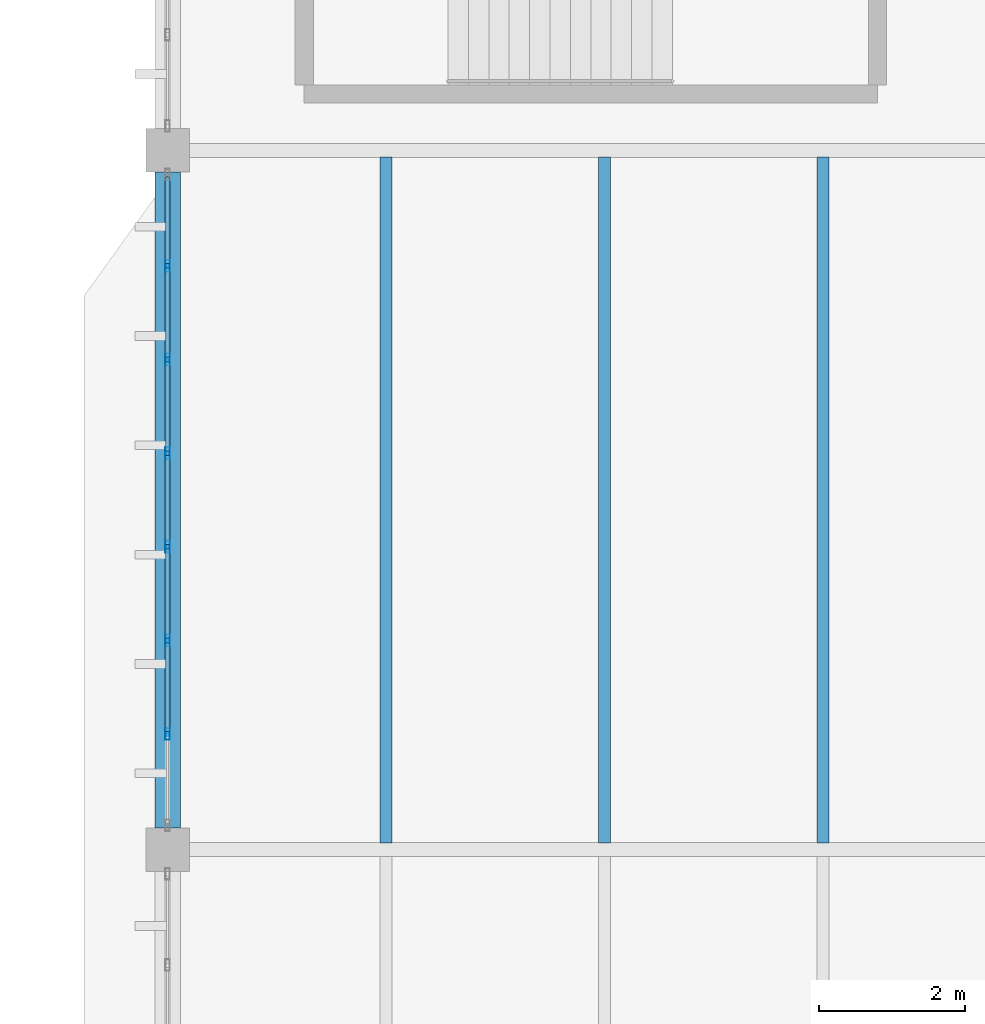
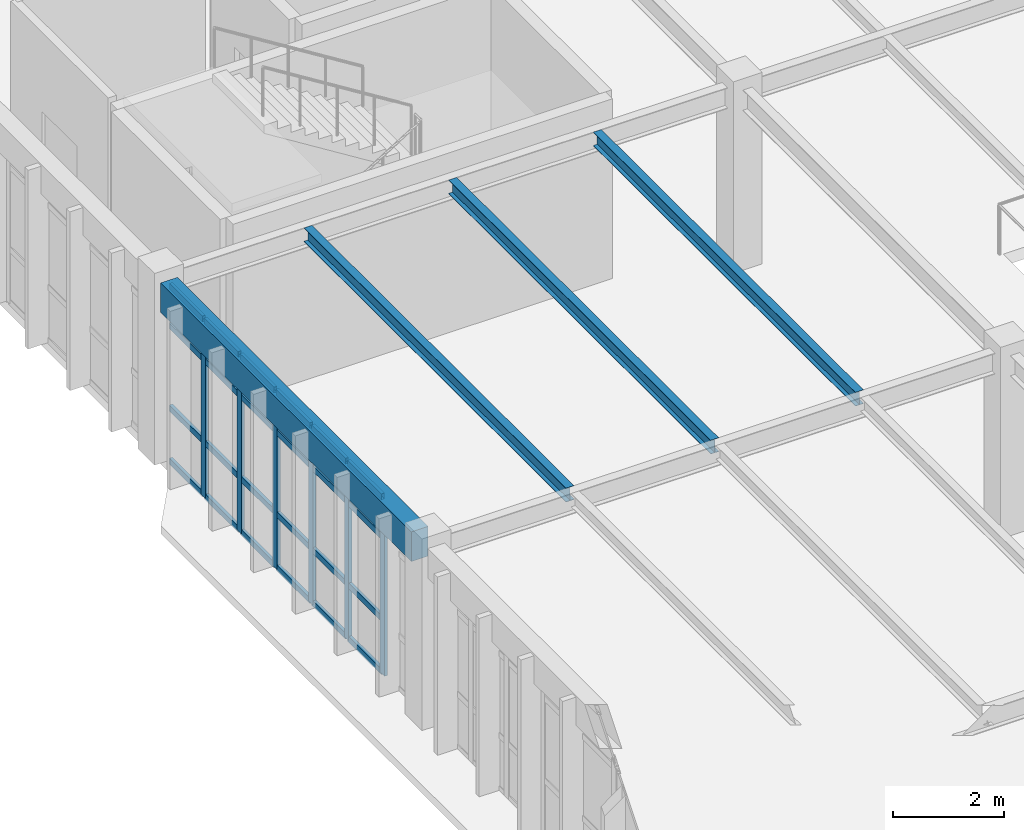
# One storey, part 34 of 83: 30 members, 4 beams, 1 element without a shape of its own.
"""IFC4 building model written with IfcOpenShell, lengths in metres."""

from ifc_helpers import new_model, si_unit, direction, frame, origin, origin_2d, place, context, subcontext, project, spatial, rectangle, hollow_rectangle, i_section, extrude, material, layer, layer_set, material_profile, profile_set, type_object, element, aggregate, save


model = new_model("IFC4")

# Units and contexts
model_context = context("Model", 3, precision=1e-05, world=origin(), true_north=direction((0.0, 1.0)))
body_context = subcontext(model_context, "Body", "Model", "MODEL_VIEW")
ifc_project = project(units=[si_unit("LENGTHUNIT", "METRE"), si_unit("AREAUNIT", "SQUARE_METRE"), si_unit("VOLUMEUNIT", "CUBIC_METRE"), si_unit("PLANEANGLEUNIT", "RADIAN"), si_unit("MASSUNIT", "GRAM", prefix="KILO")], contexts=[model_context])

# Site, building, storey
site_placement = place(None, origin())
site = spatial("IfcSite", under=ifc_project, at=site_placement, CompositionType="ELEMENT")
building_placement = place(site_placement, origin())
building = spatial("IfcBuilding", under=site, at=building_placement, Name="Pandanus Reach Market Hall", CompositionType="ELEMENT")
storey_placement = place(building_placement, frame((0.0, 0.0, 10.199951171875)))
storey = spatial("IfcBuildingStorey", under=building, at=storey_placement, Name="L02", CompositionType="ELEMENT", Elevation=10.199951171875)

# Beam
ifc_material_1 = material(Name="Concrete N40 (40 MPa)", Category="concrete")
ifc_material_profile_1 = material_profile(ifc_material_1, rectangle(XDim=0.35009765625, YDim=0.64990234375, at=origin_2d()), Name="RC350x650", Category="LoadBearing")
ifc_profile_set_1 = profile_set([ifc_material_profile_1], Name="Concrete N40 (40 MPa)")
beam_type_1 = type_object("IfcBeamType", Name="BM-RC350-E", PredefinedType="SPANDREL", material=ifc_profile_set_1)
beam_placement = place(storey_placement, frame((144.0, 38.697998046875, 3.625), z_axis=(0.0, 1.0, 0.0), x_axis=(-1.0, 0.0, 0.0)))
element("IfcBeam", 1, at=beam_placement, inside=storey, type_object=beam_type_1, Name="Framing beam BM-RC350-E L02.463", PredefinedType="SPANDREL", context=body_context, shape_type="SweptSolid", body=[
    extrude(rectangle(XDim=0.35009765625, YDim=0.64990234375, at=origin_2d()), origin(), (0.0, 0.0, 1.0), 9.00390625),
])

# Curtain wall, members
ifc_material_2 = material(Name="Bronze anodised aluminium and low-E glass", Category="aluminium")
ifc_layer = layer(ifc_material_2, 0.159912109375, Name="CW-33")
ifc_layer_set = layer_set([ifc_layer], Name="Bronze anodised aluminium and low-E glass")
curtain_wall_type = type_object("IfcCurtainWallType", Name="CW-33", PredefinedType="NOTDEFINED", material=ifc_layer_set)
curtain_wall_placement = place(storey_placement, origin())
curtain_wall = element("IfcCurtainWall", 2, at=curtain_wall_placement, inside=storey, type_object=curtain_wall_type, Name="Glazed curtain wall CW-33 CW-0111", PredefinedType="NOTDEFINED")
ifc_material_3 = material(Name="Bronze anodised aluminium", Category="aluminium")
ifc_material_profile_2 = material_profile(ifc_material_3, hollow_rectangle(XDim=0.06494140625, YDim=0.159912109375, WallThickness=0.00390625, at=origin_2d()), Name="ALU65x160", Category="LoadBearing")
ifc_profile_set_2 = profile_set([ifc_material_profile_2], Name="Bronze anodised aluminium")
member_type_1 = type_object("IfcMemberType", Name="CW-M1", PredefinedType="MULLION", material=ifc_profile_set_2)
member_1_placement = place(storey_placement, frame((144.0, 39.985595703125, 0.0), z_axis=(0.0, 0.0, 1.0), x_axis=(-1.0, 0.0, 0.0)))
member_1 = element("IfcMember", 3, at=member_1_placement, type_object=member_type_1, Name="CW-33 mullion 2", PredefinedType="MULLION", context=body_context, shape_type="SweptSolid", body=[
    extrude(hollow_rectangle(XDim=0.06494140625, YDim=0.159912109375, WallThickness=0.00390625, at=origin_2d()), origin(), (0.0, 0.0, 1.0), 3.900146484375),
])
member_2_placement = place(storey_placement, frame((144.0, 41.271484375, 0.0), z_axis=(0.0, 0.0, 1.0), x_axis=(-1.0, 0.0, 0.0)))
member_2 = element("IfcMember", 4, at=member_2_placement, type_object=member_type_1, Name="CW-33 mullion 3", PredefinedType="MULLION", context=body_context, shape_type="SweptSolid", body=[
    extrude(hollow_rectangle(XDim=0.06494140625, YDim=0.159912109375, WallThickness=0.00390625, at=origin_2d()), origin(), (0.0, 0.0, 1.0), 3.900146484375),
])
member_3_placement = place(storey_placement, frame((144.0, 42.55712890625, 0.0), z_axis=(0.0, 0.0, 1.0), x_axis=(-1.0, 0.0, 0.0)))
member_3 = element("IfcMember", 5, at=member_3_placement, type_object=member_type_1, Name="CW-33 mullion 4", PredefinedType="MULLION", context=body_context, shape_type="SweptSolid", body=[
    extrude(hollow_rectangle(XDim=0.06494140625, YDim=0.159912109375, WallThickness=0.00390625, at=origin_2d()), origin(), (0.0, 0.0, 1.0), 3.900146484375),
])
member_4_placement = place(storey_placement, frame((144.0, 43.8427734375, 0.0), z_axis=(0.0, 0.0, 1.0), x_axis=(-1.0, 0.0, 0.0)))
member_4 = element("IfcMember", 6, at=member_4_placement, type_object=member_type_1, Name="CW-33 mullion 5", PredefinedType="MULLION", context=body_context, shape_type="SweptSolid", body=[
    extrude(hollow_rectangle(XDim=0.06494140625, YDim=0.159912109375, WallThickness=0.00390625, at=origin_2d()), origin(), (0.0, 0.0, 1.0), 3.900146484375),
])
member_5_placement = place(storey_placement, frame((144.0, 45.128662109375, 0.0), z_axis=(0.0, 0.0, 1.0), x_axis=(-1.0, 0.0, 0.0)))
member_5 = element("IfcMember", 7, at=member_5_placement, type_object=member_type_1, Name="CW-33 mullion 6", PredefinedType="MULLION", context=body_context, shape_type="SweptSolid", body=[
    extrude(hollow_rectangle(XDim=0.06494140625, YDim=0.159912109375, WallThickness=0.00390625, at=origin_2d()), origin(), (0.0, 0.0, 1.0), 3.900146484375),
])
member_6_placement = place(storey_placement, frame((144.0, 46.414306640625, 0.0), z_axis=(0.0, 0.0, 1.0), x_axis=(-1.0, 0.0, 0.0)))
member_6 = element("IfcMember", 8, at=member_6_placement, type_object=member_type_1, Name="CW-33 mullion 7", PredefinedType="MULLION", context=body_context, shape_type="SweptSolid", body=[
    extrude(hollow_rectangle(XDim=0.06494140625, YDim=0.159912109375, WallThickness=0.00390625, at=origin_2d()), origin(), (0.0, 0.0, 1.0), 3.900146484375),
])
ifc_material_profile_3 = material_profile(ifc_material_3, hollow_rectangle(XDim=0.06494140625, YDim=0.1298828125, WallThickness=0.00390625, at=origin_2d()), Name="ALU65x130", Category="LoadBearing")
ifc_profile_set_3 = profile_set([ifc_material_profile_3], Name="Bronze anodised aluminium")
member_type_2 = type_object("IfcMemberType", Name="CW-T1", PredefinedType="USERDEFINED", material=ifc_profile_set_3)
member_7_placement = place(storey_placement, frame((144.0, 40.018310546875, 0.032470703125), z_axis=(0.0, 1.0, 0.0), x_axis=(-1.0, 0.0, 0.0)))
member_7 = element("IfcMember", 9, at=member_7_placement, type_object=member_type_2, Name="CW-33 transom 2.1", ObjectType="TRANSOM", PredefinedType="USERDEFINED", context=body_context, shape_type="SweptSolid", body=[
    extrude(hollow_rectangle(XDim=0.06494140625, YDim=0.1298828125, WallThickness=0.00390625, at=origin_2d()), origin(), (0.0, 0.0, 1.0), 1.220703125),
])
member_8_placement = place(storey_placement, frame((144.0, 40.018310546875, 1.199951171875), z_axis=(0.0, 1.0, 0.0), x_axis=(-1.0, 0.0, 0.0)))
member_8 = element("IfcMember", 10, at=member_8_placement, type_object=member_type_2, Name="CW-33 transom 2.2", ObjectType="TRANSOM", PredefinedType="USERDEFINED", context=body_context, shape_type="SweptSolid", body=[
    extrude(hollow_rectangle(XDim=0.06494140625, YDim=0.1298828125, WallThickness=0.00390625, at=origin_2d()), origin(), (0.0, 0.0, 1.0), 1.220703125),
])
member_9_placement = place(storey_placement, frame((144.0, 40.018310546875, 3.0), z_axis=(0.0, 1.0, 0.0), x_axis=(-1.0, 0.0, 0.0)))
member_9 = element("IfcMember", 11, at=member_9_placement, type_object=member_type_2, Name="CW-33 transom 2.3", ObjectType="TRANSOM", PredefinedType="USERDEFINED", context=body_context, shape_type="SweptSolid", body=[
    extrude(hollow_rectangle(XDim=0.06494140625, YDim=0.1298828125, WallThickness=0.00390625, at=origin_2d()), origin(), (0.0, 0.0, 1.0), 1.220703125),
])
member_10_placement = place(storey_placement, frame((144.0, 40.018310546875, 3.867431640625), z_axis=(0.0, 1.0, 0.0), x_axis=(-1.0, 0.0, 0.0)))
member_10 = element("IfcMember", 12, at=member_10_placement, type_object=member_type_2, Name="CW-33 transom 2.4", ObjectType="TRANSOM", PredefinedType="USERDEFINED", context=body_context, shape_type="SweptSolid", body=[
    extrude(hollow_rectangle(XDim=0.06494140625, YDim=0.1298828125, WallThickness=0.00390625, at=origin_2d()), origin(), (0.0, 0.0, 1.0), 1.220703125),
])
member_11_placement = place(storey_placement, frame((144.0, 41.303955078125, 0.032470703125), z_axis=(0.0, 1.0, 0.0), x_axis=(-1.0, 0.0, 0.0)))
member_11 = element("IfcMember", 13, at=member_11_placement, type_object=member_type_2, Name="CW-33 transom 3.1", ObjectType="TRANSOM", PredefinedType="USERDEFINED", context=body_context, shape_type="SweptSolid", body=[
    extrude(hollow_rectangle(XDim=0.06494140625, YDim=0.1298828125, WallThickness=0.00390625, at=origin_2d()), origin(), (0.0, 0.0, 1.0), 1.220703125),
])
member_12_placement = place(storey_placement, frame((144.0, 41.303955078125, 1.199951171875), z_axis=(0.0, 1.0, 0.0), x_axis=(-1.0, 0.0, 0.0)))
member_12 = element("IfcMember", 14, at=member_12_placement, type_object=member_type_2, Name="CW-33 transom 3.2", ObjectType="TRANSOM", PredefinedType="USERDEFINED", context=body_context, shape_type="SweptSolid", body=[
    extrude(hollow_rectangle(XDim=0.06494140625, YDim=0.1298828125, WallThickness=0.00390625, at=origin_2d()), origin(), (0.0, 0.0, 1.0), 1.220703125),
])
member_13_placement = place(storey_placement, frame((144.0, 41.303955078125, 3.0), z_axis=(0.0, 1.0, 0.0), x_axis=(-1.0, 0.0, 0.0)))
member_13 = element("IfcMember", 15, at=member_13_placement, type_object=member_type_2, Name="CW-33 transom 3.3", ObjectType="TRANSOM", PredefinedType="USERDEFINED", context=body_context, shape_type="SweptSolid", body=[
    extrude(hollow_rectangle(XDim=0.06494140625, YDim=0.1298828125, WallThickness=0.00390625, at=origin_2d()), origin(), (0.0, 0.0, 1.0), 1.220703125),
])
member_14_placement = place(storey_placement, frame((144.0, 41.303955078125, 3.867431640625), z_axis=(0.0, 1.0, 0.0), x_axis=(-1.0, 0.0, 0.0)))
member_14 = element("IfcMember", 16, at=member_14_placement, type_object=member_type_2, Name="CW-33 transom 3.4", ObjectType="TRANSOM", PredefinedType="USERDEFINED", context=body_context, shape_type="SweptSolid", body=[
    extrude(hollow_rectangle(XDim=0.06494140625, YDim=0.1298828125, WallThickness=0.00390625, at=origin_2d()), origin(), (0.0, 0.0, 1.0), 1.220703125),
])
member_15_placement = place(storey_placement, frame((144.0, 42.589599609375, 0.032470703125), z_axis=(0.0, 1.0, 0.0), x_axis=(-1.0, 0.0, 0.0)))
member_15 = element("IfcMember", 17, at=member_15_placement, type_object=member_type_2, Name="CW-33 transom 4.1", ObjectType="TRANSOM", PredefinedType="USERDEFINED", context=body_context, shape_type="SweptSolid", body=[
    extrude(hollow_rectangle(XDim=0.06494140625, YDim=0.1298828125, WallThickness=0.00390625, at=origin_2d()), origin(), (0.0, 0.0, 1.0), 1.220703125),
])
member_16_placement = place(storey_placement, frame((144.0, 42.589599609375, 1.199951171875), z_axis=(0.0, 1.0, 0.0), x_axis=(-1.0, 0.0, 0.0)))
member_16 = element("IfcMember", 18, at=member_16_placement, type_object=member_type_2, Name="CW-33 transom 4.2", ObjectType="TRANSOM", PredefinedType="USERDEFINED", context=body_context, shape_type="SweptSolid", body=[
    extrude(hollow_rectangle(XDim=0.06494140625, YDim=0.1298828125, WallThickness=0.00390625, at=origin_2d()), origin(), (0.0, 0.0, 1.0), 1.220703125),
])
member_17_placement = place(storey_placement, frame((144.0, 42.589599609375, 3.0), z_axis=(0.0, 1.0, 0.0), x_axis=(-1.0, 0.0, 0.0)))
member_17 = element("IfcMember", 19, at=member_17_placement, type_object=member_type_2, Name="CW-33 transom 4.3", ObjectType="TRANSOM", PredefinedType="USERDEFINED", context=body_context, shape_type="SweptSolid", body=[
    extrude(hollow_rectangle(XDim=0.06494140625, YDim=0.1298828125, WallThickness=0.00390625, at=origin_2d()), origin(), (0.0, 0.0, 1.0), 1.220703125),
])
member_18_placement = place(storey_placement, frame((144.0, 42.589599609375, 3.867431640625), z_axis=(0.0, 1.0, 0.0), x_axis=(-1.0, 0.0, 0.0)))
member_18 = element("IfcMember", 20, at=member_18_placement, type_object=member_type_2, Name="CW-33 transom 4.4", ObjectType="TRANSOM", PredefinedType="USERDEFINED", context=body_context, shape_type="SweptSolid", body=[
    extrude(hollow_rectangle(XDim=0.06494140625, YDim=0.1298828125, WallThickness=0.00390625, at=origin_2d()), origin(), (0.0, 0.0, 1.0), 1.220703125),
])
member_19_placement = place(storey_placement, frame((144.0, 43.875244140625, 0.032470703125), z_axis=(0.0, 1.0, 0.0), x_axis=(-1.0, 0.0, 0.0)))
member_19 = element("IfcMember", 21, at=member_19_placement, type_object=member_type_2, Name="CW-33 transom 5.1", ObjectType="TRANSOM", PredefinedType="USERDEFINED", context=body_context, shape_type="SweptSolid", body=[
    extrude(hollow_rectangle(XDim=0.06494140625, YDim=0.1298828125, WallThickness=0.00390625, at=origin_2d()), origin(), (0.0, 0.0, 1.0), 1.220947265625),
])
member_20_placement = place(storey_placement, frame((144.0, 43.875244140625, 1.199951171875), z_axis=(0.0, 1.0, 0.0), x_axis=(-1.0, 0.0, 0.0)))
member_20 = element("IfcMember", 22, at=member_20_placement, type_object=member_type_2, Name="CW-33 transom 5.2", ObjectType="TRANSOM", PredefinedType="USERDEFINED", context=body_context, shape_type="SweptSolid", body=[
    extrude(hollow_rectangle(XDim=0.06494140625, YDim=0.1298828125, WallThickness=0.00390625, at=origin_2d()), origin(), (0.0, 0.0, 1.0), 1.220947265625),
])
member_21_placement = place(storey_placement, frame((144.0, 43.875244140625, 3.0), z_axis=(0.0, 1.0, 0.0), x_axis=(-1.0, 0.0, 0.0)))
member_21 = element("IfcMember", 23, at=member_21_placement, type_object=member_type_2, Name="CW-33 transom 5.3", ObjectType="TRANSOM", PredefinedType="USERDEFINED", context=body_context, shape_type="SweptSolid", body=[
    extrude(hollow_rectangle(XDim=0.06494140625, YDim=0.1298828125, WallThickness=0.00390625, at=origin_2d()), origin(), (0.0, 0.0, 1.0), 1.220947265625),
])
member_22_placement = place(storey_placement, frame((144.0, 43.875244140625, 3.867431640625), z_axis=(0.0, 1.0, 0.0), x_axis=(-1.0, 0.0, 0.0)))
member_22 = element("IfcMember", 24, at=member_22_placement, type_object=member_type_2, Name="CW-33 transom 5.4", ObjectType="TRANSOM", PredefinedType="USERDEFINED", context=body_context, shape_type="SweptSolid", body=[
    extrude(hollow_rectangle(XDim=0.06494140625, YDim=0.1298828125, WallThickness=0.00390625, at=origin_2d()), origin(), (0.0, 0.0, 1.0), 1.220947265625),
])
member_23_placement = place(storey_placement, frame((144.0, 45.1611328125, 0.032470703125), z_axis=(0.0, 1.0, 0.0), x_axis=(-1.0, 0.0, 0.0)))
member_23 = element("IfcMember", 25, at=member_23_placement, type_object=member_type_2, Name="CW-33 transom 6.1", ObjectType="TRANSOM", PredefinedType="USERDEFINED", context=body_context, shape_type="SweptSolid", body=[
    extrude(hollow_rectangle(XDim=0.06494140625, YDim=0.1298828125, WallThickness=0.00390625, at=origin_2d()), origin(), (0.0, 0.0, 1.0), 1.220703125),
])
member_24_placement = place(storey_placement, frame((144.0, 45.1611328125, 1.199951171875), z_axis=(0.0, 1.0, 0.0), x_axis=(-1.0, 0.0, 0.0)))
member_24 = element("IfcMember", 26, at=member_24_placement, type_object=member_type_2, Name="CW-33 transom 6.2", ObjectType="TRANSOM", PredefinedType="USERDEFINED", context=body_context, shape_type="SweptSolid", body=[
    extrude(hollow_rectangle(XDim=0.06494140625, YDim=0.1298828125, WallThickness=0.00390625, at=origin_2d()), origin(), (0.0, 0.0, 1.0), 1.220703125),
])
member_25_placement = place(storey_placement, frame((144.0, 45.1611328125, 3.0), z_axis=(0.0, 1.0, 0.0), x_axis=(-1.0, 0.0, 0.0)))
member_25 = element("IfcMember", 27, at=member_25_placement, type_object=member_type_2, Name="CW-33 transom 6.3", ObjectType="TRANSOM", PredefinedType="USERDEFINED", context=body_context, shape_type="SweptSolid", body=[
    extrude(hollow_rectangle(XDim=0.06494140625, YDim=0.1298828125, WallThickness=0.00390625, at=origin_2d()), origin(), (0.0, 0.0, 1.0), 1.220703125),
])
member_26_placement = place(storey_placement, frame((144.0, 45.1611328125, 3.867431640625), z_axis=(0.0, 1.0, 0.0), x_axis=(-1.0, 0.0, 0.0)))
member_26 = element("IfcMember", 28, at=member_26_placement, type_object=member_type_2, Name="CW-33 transom 6.4", ObjectType="TRANSOM", PredefinedType="USERDEFINED", context=body_context, shape_type="SweptSolid", body=[
    extrude(hollow_rectangle(XDim=0.06494140625, YDim=0.1298828125, WallThickness=0.00390625, at=origin_2d()), origin(), (0.0, 0.0, 1.0), 1.220703125),
])
member_27_placement = place(storey_placement, frame((144.0, 46.44677734375, 0.032470703125), z_axis=(0.0, 1.0, 0.0), x_axis=(-1.0, 0.0, 0.0)))
member_27 = element("IfcMember", 29, at=member_27_placement, type_object=member_type_2, Name="CW-33 transom 7.1", ObjectType="TRANSOM", PredefinedType="USERDEFINED", context=body_context, shape_type="SweptSolid", body=[
    extrude(hollow_rectangle(XDim=0.06494140625, YDim=0.1298828125, WallThickness=0.00390625, at=origin_2d()), origin(), (0.0, 0.0, 1.0), 1.188232421875),
])
member_28_placement = place(storey_placement, frame((144.0, 46.44677734375, 1.199951171875), z_axis=(0.0, 1.0, 0.0), x_axis=(-1.0, 0.0, 0.0)))
member_28 = element("IfcMember", 30, at=member_28_placement, type_object=member_type_2, Name="CW-33 transom 7.2", ObjectType="TRANSOM", PredefinedType="USERDEFINED", context=body_context, shape_type="SweptSolid", body=[
    extrude(hollow_rectangle(XDim=0.06494140625, YDim=0.1298828125, WallThickness=0.00390625, at=origin_2d()), origin(), (0.0, 0.0, 1.0), 1.188232421875),
])
member_29_placement = place(storey_placement, frame((144.0, 46.44677734375, 3.0), z_axis=(0.0, 1.0, 0.0), x_axis=(-1.0, 0.0, 0.0)))
member_29 = element("IfcMember", 31, at=member_29_placement, type_object=member_type_2, Name="CW-33 transom 7.3", ObjectType="TRANSOM", PredefinedType="USERDEFINED", context=body_context, shape_type="SweptSolid", body=[
    extrude(hollow_rectangle(XDim=0.06494140625, YDim=0.1298828125, WallThickness=0.00390625, at=origin_2d()), origin(), (0.0, 0.0, 1.0), 1.188232421875),
])
member_30_placement = place(storey_placement, frame((144.0, 46.44677734375, 3.867431640625), z_axis=(0.0, 1.0, 0.0), x_axis=(-1.0, 0.0, 0.0)))
member_30 = element("IfcMember", 32, at=member_30_placement, type_object=member_type_2, Name="CW-33 transom 7.4", ObjectType="TRANSOM", PredefinedType="USERDEFINED", context=body_context, shape_type="SweptSolid", body=[
    extrude(hollow_rectangle(XDim=0.06494140625, YDim=0.1298828125, WallThickness=0.00390625, at=origin_2d()), origin(), (0.0, 0.0, 1.0), 1.188232421875),
])
aggregate(curtain_wall, [member_1, member_2, member_3, member_4, member_5, member_6, member_7, member_8, member_9, member_10, member_11, member_12, member_13, member_14, member_15, member_16, member_17, member_18, member_19, member_20, member_21, member_22, member_23, member_24, member_25, member_26, member_27, member_28, member_29, member_30])

# Beams
ifc_material_4 = material(Name="Steel Grade 350 (350 MPa)", Category="steel")
ifc_material_profile_4 = material_profile(ifc_material_4, i_section(OverallWidth=0.1650390625, OverallDepth=0.303955078125, WebThickness=0.006103515625, FlangeThickness=0.01025390625, at=origin_2d()), Name="310UB40.4", Category="LoadBearing")
ifc_profile_set_4 = profile_set([ifc_material_profile_4], Name="Steel Grade 350 (350 MPa)")
beam_type_2 = type_object("IfcBeamType", Name="JS-UB310-I", PredefinedType="JOIST", material=ifc_profile_set_4)
for number, where, z_axis, x_axis, name in (
    (33, (147.0, 38.492919921875, 3.797607421875), (0.0, 1.0, 0.0), (-1.0, 0.0, 0.0), "Secondary joist JS-UB310-I L02.495"),
    (34, (150.0, 38.492919921875, 3.797607421875), (0.0, 1.0, 0.0), (-1.0, 0.0, 0.0), "Secondary joist JS-UB310-I L02.496"),
    (35, (153.0, 38.492919921875, 3.797607421875), (0.0, 1.0, 0.0), (-1.0, 0.0, 0.0), "Secondary joist JS-UB310-I L02.497"),
):
    element("IfcBeam", number, at=place(storey_placement, frame(where, z_axis=z_axis, x_axis=x_axis)), inside=storey, type_object=beam_type_2, Name=name, PredefinedType="JOIST", context=body_context, shape_type="SweptSolid", body=[
        extrude(i_section(OverallWidth=0.1650390625, OverallDepth=0.303955078125, WebThickness=0.006103515625, FlangeThickness=0.01025390625, at=origin_2d()), origin(), (0.0, 0.0, 1.0), 9.4140625),
    ])

save(model, "model.ifc")
